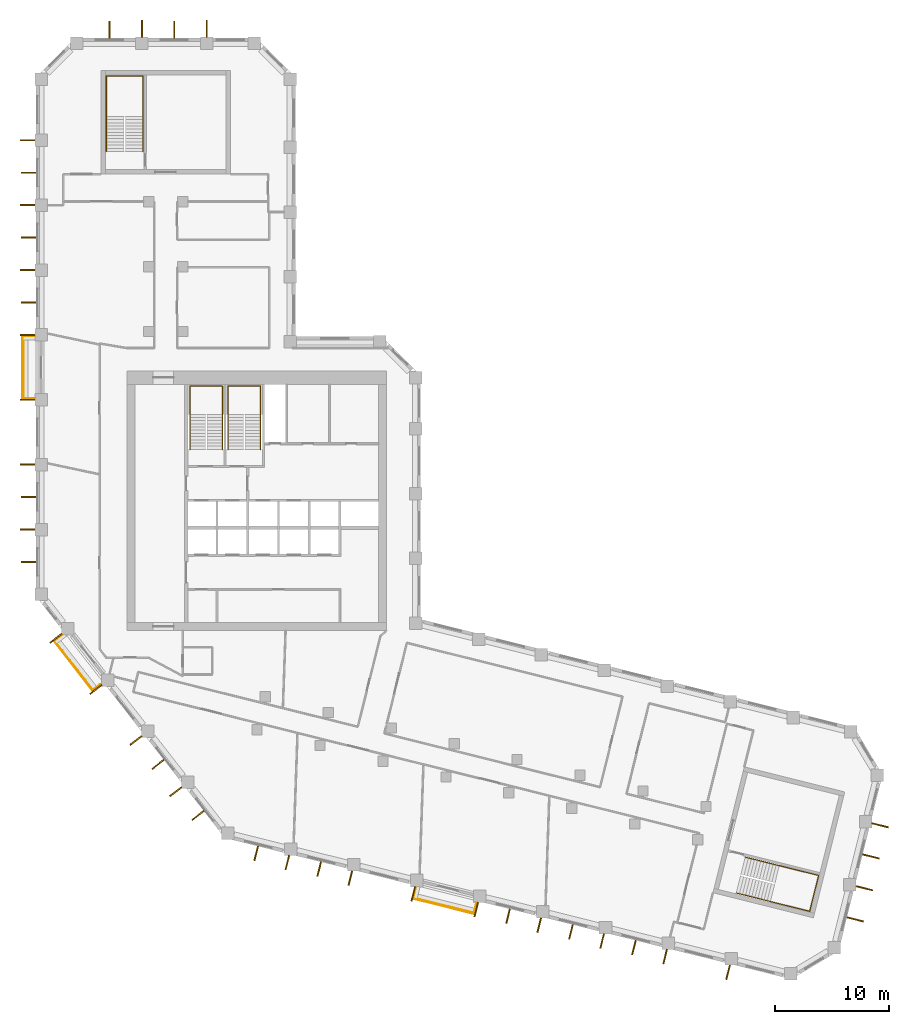
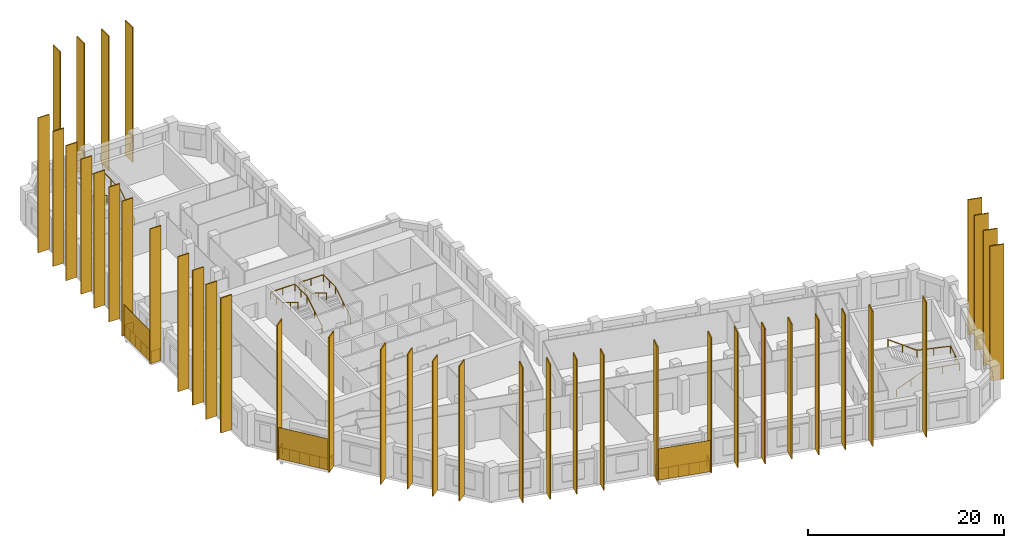
# One storey, part 10 of 10: 42 shading devices, 7 railings.
"""IFC4 building model written with IfcOpenShell, lengths in metres."""

from ifc_helpers import new_model, si_unit, direction, frame, origin, origin_2d, place, context, subcontext, project, spatial, rectangle, circle, extrude, material, layer, layer_set, type_object, element, save


model = new_model("IFC4")

# Units and contexts
model_context = context("Model", 3, precision=1e-05, world=origin(), true_north=direction((0.0, 1.0)))
body_context = subcontext(model_context, "Body", "Model", "MODEL_VIEW")
ifc_project = project(units=[si_unit("LENGTHUNIT", "METRE"), si_unit("AREAUNIT", "SQUARE_METRE"), si_unit("VOLUMEUNIT", "CUBIC_METRE"), si_unit("PLANEANGLEUNIT", "RADIAN"), si_unit("MASSUNIT", "GRAM", prefix="KILO")], contexts=[model_context])

# Site, building, storey
site_placement = place(None, origin())
site = spatial("IfcSite", under=ifc_project, at=site_placement, CompositionType="ELEMENT")
building_placement = place(site_placement, origin())
building = spatial("IfcBuilding", under=site, at=building_placement, Name="Meshkara Civic Tower", CompositionType="ELEMENT")
storey_placement = place(building_placement, frame((0.0, 0.0, 259.199951171875)))
storey = spatial("IfcBuildingStorey", under=building, at=storey_placement, Name="L59", CompositionType="ELEMENT", Elevation=259.199951171875)

# Railings
ifc_material_1 = material(Name="Steel S355", Category="steel")
railing_type_1 = type_object("IfcRailingType", Name="BALUSTRADE GUARD 1400", PredefinedType="BALUSTRADE", material=ifc_material_1)
railing_1_placement = place(storey_placement, frame((-0.10009765625, 39.93505859375, 0.0)))
element("IfcRailing", 1, at=railing_1_placement, inside=storey, type_object=railing_type_1, Name="Balcony guard", PredefinedType="BALUSTRADE", context=body_context, shape_type="SweptSolid", body=[
    extrude(circle(Radius=0.02392578125, at=origin_2d()), frame((0.0, 0.0, 1.3759765625), z_axis=(-1.0, 0.0, 0.0), x_axis=(0.0, -1.0, 0.0)), (0.0, 0.0, 1.0), 1.010009765625),
    extrude(circle(Radius=0.02392578125, at=origin_2d()), frame((-1.010009765625, 0.0, 1.3759765625), z_axis=(0.0, -1.0, 0.0), x_axis=(1.0, 0.0, 0.0)), (0.0, 0.0, 1.0), 5.4599609375),
    extrude(circle(Radius=0.02392578125, at=origin_2d()), frame((-1.010009765625, -5.4599609375, 1.3759765625), z_axis=(1.0, 0.0, 0.0), x_axis=(0.0, 1.0, 0.0)), (0.0, 0.0, 1.0), 1.010009765625),
    extrude(circle(Radius=0.02099609375, at=origin_2d()), origin(), (0.0, 0.0, 1.0), 1.351806640625),
    extrude(circle(Radius=0.02099609375, at=origin_2d()), frame((-1.010009765625, 0.0, 0.0)), (0.0, 0.0, 1.0), 1.351806640625),
    extrude(circle(Radius=0.02099609375, at=origin_2d()), frame((-1.010009765625, -1.092041015625, 0.0)), (0.0, 0.0, 1.0), 1.351806640625),
    extrude(circle(Radius=0.02099609375, at=origin_2d()), frame((-1.010009765625, -2.18408203125, 0.0)), (0.0, 0.0, 1.0), 1.351806640625),
    extrude(circle(Radius=0.02099609375, at=origin_2d()), frame((-1.010009765625, -3.27587890625, 0.0)), (0.0, 0.0, 1.0), 1.351806640625),
    extrude(circle(Radius=0.02099609375, at=origin_2d()), frame((-1.010009765625, -4.367919921875, 0.0)), (0.0, 0.0, 1.0), 1.351806640625),
    extrude(circle(Radius=0.02099609375, at=origin_2d()), frame((-1.010009765625, -5.4599609375, 0.0)), (0.0, 0.0, 1.0), 1.351806640625),
    extrude(circle(Radius=0.02099609375, at=origin_2d()), frame((0.0, -5.4599609375, 0.0)), (0.0, 0.0, 1.0), 1.351806640625),
])
railing_2_placement = place(storey_placement, frame((2.280029296875, 13.658935546875, 0.0)))
element("IfcRailing", 2, at=railing_2_placement, inside=storey, type_object=railing_type_1, Name="Balcony guard", PredefinedType="BALUSTRADE", context=body_context, shape_type="SweptSolid", body=[
    extrude(circle(Radius=0.02392578125, at=origin_2d()), frame((0.0, 0.0, 1.3759765625), z_axis=(-0.788249800523, -0.615355386729, 0.0), x_axis=(0.615355386729, -0.788249800523, 0.0)), (0.0, 0.0, 1.0), 0.787841796875),
    extrude(circle(Radius=0.02392578125, at=origin_2d()), frame((-0.62109375, -0.48486328125, 1.3759765625), z_axis=(0.615573755741, -0.788079279795, 0.0), x_axis=(0.788079279795, 0.615573755741, 0.0)), (0.0, 0.0, 1.0), 5.460205078125),
    extrude(circle(Radius=0.02392578125, at=origin_2d()), frame((2.739990234375, -4.787841796875, 1.3759765625), z_axis=(0.787648714287, 0.616124583896, 0.0), x_axis=(-0.616124583896, 0.787648714287, 0.0)), (0.0, 0.0, 1.0), 0.78857421875),
    extrude(circle(Radius=0.02099609375, at=origin_2d()), origin(), (0.0, 0.0, 1.0), 1.351806640625),
    extrude(circle(Radius=0.02099609375, at=origin_2d()), frame((-0.62109375, -0.48486328125, 0.0)), (0.0, 0.0, 1.0), 1.351806640625),
    extrude(circle(Radius=0.02099609375, at=origin_2d()), frame((0.051025390625, -1.345458984375, 0.0)), (0.0, 0.0, 1.0), 1.351806640625),
    extrude(circle(Radius=0.02099609375, at=origin_2d()), frame((0.723388671875, -2.2060546875, 0.0)), (0.0, 0.0, 1.0), 1.351806640625),
    extrude(circle(Radius=0.02099609375, at=origin_2d()), frame((1.3955078125, -3.066650390625, 0.0)), (0.0, 0.0, 1.0), 1.351806640625),
    extrude(circle(Radius=0.02099609375, at=origin_2d()), frame((2.06787109375, -3.92724609375, 0.0)), (0.0, 0.0, 1.0), 1.351806640625),
    extrude(circle(Radius=0.02099609375, at=origin_2d()), frame((2.739990234375, -4.787841796875, 0.0)), (0.0, 0.0, 1.0), 1.351806640625),
    extrude(circle(Radius=0.02099609375, at=origin_2d()), frame((3.361083984375, -4.302001953125, 0.0)), (0.0, 0.0, 1.0), 1.351806640625),
])
railing_3_placement = place(storey_placement, frame((33.39794921875, -8.550048828125, 0.0)))
element("IfcRailing", 3, at=railing_3_placement, inside=storey, type_object=railing_type_1, Name="Balcony guard", PredefinedType="BALUSTRADE", context=body_context, shape_type="SweptSolid", body=[
    extrude(circle(Radius=0.02392578125, at=origin_2d()), frame((0.0, 0.0, 1.3759765625), z_axis=(-0.241828319243, -0.97031905269, 0.0), x_axis=(0.97031905269, -0.241828319243, 0.0)), (0.0, 0.0, 1.0), 0.8935546875),
    extrude(circle(Radius=0.02392578125, at=origin_2d()), frame((-0.216064453125, -0.866943359375, 1.3759765625), z_axis=(0.970292231073, -0.24193591366, 0.0), x_axis=(0.24193591366, 0.970292231073, 0.0)), (0.0, 0.0, 1.0), 5.460205078125),
    extrude(circle(Radius=0.02392578125, at=origin_2d()), frame((5.08203125, -2.18798828125, 1.3759765625), z_axis=(0.241828319243, 0.97031905269, 0.0), x_axis=(-0.97031905269, 0.241828319243, 0.0)), (0.0, 0.0, 1.0), 0.8935546875),
    extrude(circle(Radius=0.02099609375, at=origin_2d()), origin(), (0.0, 0.0, 1.0), 1.351806640625),
    extrude(circle(Radius=0.02099609375, at=origin_2d()), frame((-0.216064453125, -0.866943359375, 0.0)), (0.0, 0.0, 1.0), 1.351806640625),
    extrude(circle(Radius=0.02099609375, at=origin_2d()), frame((0.843505859375, -1.131103515625, 0.0)), (0.0, 0.0, 1.0), 1.351806640625),
    extrude(circle(Radius=0.02099609375, at=origin_2d()), frame((1.903076171875, -1.395263671875, 0.0)), (0.0, 0.0, 1.0), 1.351806640625),
    extrude(circle(Radius=0.02099609375, at=origin_2d()), frame((2.962890625, -1.65966796875, 0.0)), (0.0, 0.0, 1.0), 1.351806640625),
    extrude(circle(Radius=0.02099609375, at=origin_2d()), frame((4.0224609375, -1.923828125, 0.0)), (0.0, 0.0, 1.0), 1.351806640625),
    extrude(circle(Radius=0.02099609375, at=origin_2d()), frame((5.08203125, -2.18798828125, 0.0)), (0.0, 0.0, 1.0), 1.351806640625),
    extrude(circle(Radius=0.02099609375, at=origin_2d()), frame((5.298095703125, -1.321044921875, 0.0)), (0.0, 0.0, 1.0), 1.351806640625),
])

# Shading devices
ifc_material_2 = material(Name="Bronze anodised aluminium", Category="aluminium")
ifc_layer_1 = layer(ifc_material_2, 0.1201171875)
ifc_layer_set_1 = layer_set([ifc_layer_1], Name="BRONZE FIN 1300")
shading_device_type_1 = type_object("IfcShadingDeviceType", Name="BRONZE FIN 1300", PredefinedType="USERDEFINED", material=ifc_layer_set_1)
for number, where, z_axis, x_axis, name in (
    (4, (-0.75, 57.155029296875, 0.0), (0.0, 0.0, 1.0), (0.0, -1.0, 0.0), "Fin"),
    (5, (-0.64990234375, 54.304931640625, 0.0), (0.0, 0.0, 1.0), (0.0, -1.0, 0.0), "Fin"),
    (6, (-0.75, 51.455078125, 0.0), (0.0, 0.0, 1.0), (0.0, -1.0, 0.0), "Fin"),
    (7, (-0.64990234375, 48.60498046875, 0.0), (0.0, 0.0, 1.0), (0.0, -1.0, 0.0), "Fin"),
    (8, (-0.75, 45.7548828125, 0.0), (0.0, 0.0, 1.0), (0.0, -1.0, 0.0), "Fin"),
    (9, (-0.64990234375, 42.905029296875, 0.0), (0.0, 0.0, 1.0), (0.0, -1.0, 0.0), "Fin"),
    (10, (-0.75, 40.054931640625, 0.0), (0.0, 0.0, 1.0), (0.0, -1.0, 0.0), "Fin"),
    (11, (-0.75, 34.35498046875, 0.0), (0.0, 0.0, 1.0), (0.0, -1.0, 0.0), "Fin"),
    (12, (-0.75, 28.655029296875, 0.0), (0.0, 0.0, 1.0), (0.0, -1.0, 0.0), "Fin"),
    (13, (-0.64990234375, 25.804931640625, 0.0), (0.0, 0.0, 1.0), (0.0, -1.0, 0.0), "Fin"),
    (14, (-0.75, 22.955078125, 0.0), (0.0, 0.0, 1.0), (0.0, -1.0, 0.0), "Fin"),
    (15, (-0.64990234375, 20.10498046875, 0.0), (0.0, 0.0, 1.0), (0.0, -1.0, 0.0), "Fin"),
    (16, (1.751953125, 13.39892578125, 0.0), (0.0, 0.0, 1.0), (0.615661475326, -0.788010753607, 0.0), "Fin"),
    (17, (5.260986328125, 8.906982421875, 0.0), (0.0, 0.0, 1.0), (0.615661475326, -0.788010753607, 0.0), "Fin"),
    (18, (8.77099609375, 4.4150390625, 0.0), (0.0, 0.0, 1.0), (0.615661475326, -0.788010753607, 0.0), "Fin"),
    (19, (10.720947265625, 2.322021484375, 0.0), (0.0, 0.0, 1.0), (0.615661475326, -0.788010753607, 0.0), "Fin"),
    (20, (12.280029296875, -0.075927734375, 0.0), (0.0, 0.0, 1.0), (0.615661475326, -0.788010753607, 0.0), "Fin"),
    (21, (14.22998046875, -2.1689453125, 0.0), (0.0, 0.0, 1.0), (0.615661475326, -0.788010753607, 0.0), "Fin"),
    (22, (19.35009765625, -5.4951171875, 0.0), (0.0, 0.0, 1.0), (0.970299948462, -0.241904960708, 0.0), "Fin"),
    (23, (22.087890625, -6.298095703125, 0.0), (0.0, 0.0, 1.0), (0.970299948462, -0.241904960708, 0.0), "Fin"),
    (24, (24.881103515625, -6.873046875, 0.0), (0.0, 0.0, 1.0), (0.970299948462, -0.241904960708, 0.0), "Fin"),
    (25, (27.617919921875, -7.677001953125, 0.0), (0.0, 0.0, 1.0), (0.970299948462, -0.241904960708, 0.0), "Fin"),
    (26, (33.14892578125, -9.055908203125, 0.0), (0.0, 0.0, 1.0), (0.970299948462, -0.241904960708, 0.0), "Fin"),
    (27, (38.679931640625, -10.43408203125, 0.0), (0.0, 0.0, 1.0), (0.970299948462, -0.241904960708, 0.0), "Fin"),
    (28, (41.472900390625, -11.010009765625, 0.0), (0.0, 0.0, 1.0), (0.970299948462, -0.241904960708, 0.0), "Fin"),
    (29, (44.2109375, -11.81298828125, 0.0), (0.0, 0.0, 1.0), (0.970299948462, -0.241904960708, 0.0), "Fin"),
    (30, (47.00390625, -12.388916015625, 0.0), (0.0, 0.0, 1.0), (0.970299948462, -0.241904960708, 0.0), "Fin"),
    (31, (49.740966796875, -13.19189453125, 0.0), (0.0, 0.0, 1.0), (0.970299948462, -0.241904960708, 0.0), "Fin"),
    (32, (52.533935546875, -13.76806640625, 0.0), (0.0, 0.0, 1.0), (0.970299948462, -0.241904960708, 0.0), "Fin"),
    (33, (55.27197265625, -14.571044921875, 0.0), (0.0, 0.0, 1.0), (0.970299948462, -0.241904960708, 0.0), "Fin"),
    (34, (60.802978515625, -15.949951171875, 0.0), (0.0, 0.0, 1.0), (0.970299948462, -0.241904960708, 0.0), "Fin"),
):
    element("IfcShadingDevice", number, at=place(storey_placement, frame(where, z_axis=z_axis, x_axis=x_axis)), inside=storey, type_object=shading_device_type_1, Name=name, ObjectType="FIN", PredefinedType="USERDEFINED", context=body_context, shape_type="SweptSolid", body=[
        extrude(rectangle(XDim=0.1201171875, YDim=1.300048828125, at=origin_2d()), origin(), (0.0, 0.0, 1.0), 16.800048828125),
    ])
ifc_material_3 = material(Name="Bronze anodised aluminium", Category="aluminium")
ifc_layer_2 = layer(ifc_material_3, 0.1201171875)
ifc_layer_set_2 = layer_set([ifc_layer_2], Name="BRONZE FIN 1500")
shading_device_type_2 = type_object("IfcShadingDeviceType", Name="BRONZE FIN 1500", PredefinedType="USERDEFINED", material=ifc_layer_set_2)
for number, where, z_axis, x_axis, name in (
    (35, (15.006103515625, 66.969970703125, 0.0), (0.0, 0.0, 1.0), (-1.0, 0.0, 0.0), "Fin"),
    (36, (12.156005859375, 66.8701171875, 0.0), (0.0, 0.0, 1.0), (-1.0, 0.0, 0.0), "Fin"),
    (37, (9.305908203125, 66.969970703125, 0.0), (0.0, 0.0, 1.0), (-1.0, 0.0, 0.0), "Fin"),
    (38, (6.4560546875, 66.8701171875, 0.0), (0.0, 0.0, 1.0), (-1.0, 0.0, 0.0), "Fin"),
    (39, (71.97607421875, -11.291015625, 0.0), (0.0, 0.0, 1.0), (0.2419218956, 0.970295726276, 0.0), "Fin"),
    (40, (72.779052734375, -8.553955078125, 0.0), (0.0, 0.0, 1.0), (0.2419218956, 0.970295726276, 0.0), "Fin"),
    (41, (73.35498046875, -5.760009765625, 0.0), (0.0, 0.0, 1.0), (0.2419218956, 0.970295726276, 0.0), "Fin"),
    (42, (74.157958984375, -3.02392578125, 0.0), (0.0, 0.0, 1.0), (0.2419218956, 0.970295726276, 0.0), "Fin"),
):
    element("IfcShadingDevice", number, at=place(storey_placement, frame(where, z_axis=z_axis, x_axis=x_axis)), inside=storey, type_object=shading_device_type_2, Name=name, ObjectType="FIN", PredefinedType="USERDEFINED", context=body_context, shape_type="SweptSolid", body=[
        extrude(rectangle(XDim=0.1201171875, YDim=1.5, at=origin_2d()), origin(), (0.0, 0.0, 1.0), 16.800048828125),
    ])
ifc_material_4 = material(Name="Perforated bronze anodised aluminium sheet", Category="aluminium")
ifc_layer_3 = layer(ifc_material_4, 0.0400390625)
ifc_layer_set_3 = layer_set([ifc_layer_3], Name="PERFORATED BRONZE SCREEN")
shading_device_type_3 = type_object("IfcShadingDeviceType", Name="PERFORATED BRONZE SCREEN", PredefinedType="USERDEFINED", material=ifc_layer_set_3)
for number, where, z_axis, x_axis, name in (
    (43, (-1.179931640625, 37.205078125, 0.0), (0.0, 0.0, 1.0), (0.0, -1.0, 0.0), "Balcony screen"),
    (44, (3.283935546875, 10.97998046875, 0.0), (0.0, 0.0, 1.0), (0.615661475326, -0.788010753607, 0.0), "Balcony screen"),
    (45, (35.81396484375, -10.14599609375, 0.0), (0.0, 0.0, 1.0), (0.970299948462, -0.241904960708, 0.0), "Balcony screen"),
):
    element("IfcShadingDevice", number, at=place(storey_placement, frame(where, z_axis=z_axis, x_axis=x_axis)), inside=storey, type_object=shading_device_type_3, Name=name, ObjectType="SCREEN", PredefinedType="USERDEFINED", context=body_context, shape_type="SweptSolid", body=[
        extrude(rectangle(XDim=5.580078125, YDim=0.0400390625, at=origin_2d()), origin(), (0.0, 0.0, 1.0), 3.89990234375),
    ])

# Railings
ifc_material_5 = material(Name="Steel handrail", Category="steel")
railing_type_2 = type_object("IfcRailingType", Name="Stair handrail 900", PredefinedType="HANDRAIL", material=ifc_material_5)
railing_4_placement = place(storey_placement, frame((16.375, 30.0, 0.175048828125)))
element("IfcRailing", 46, at=railing_4_placement, inside=storey, type_object=railing_type_2, Name="L59 ST1 stair handrail 1", PredefinedType="HANDRAIL", context=body_context, shape_type="SweptSolid", body=[
    extrude(circle(Radius=0.02392578125, at=origin_2d()), frame((0.0, 0.0, 0.8759765625), z_axis=(0.0, 0.847998304005, 0.529998940003), x_axis=(-1.0, 0.0, 0.0)), (0.0, 0.0, 1.0), 3.632080078125),
    extrude(circle(Radius=0.02392578125, at=origin_2d()), frame((0.0, 3.080078125, 2.80078125), z_axis=(0.0, 1.0, 0.0), x_axis=(-1.0, 0.0, 0.0)), (0.0, 0.0, 1.0), 2.469970703125),
    extrude(circle(Radius=0.02392578125, at=origin_2d()), frame((0.0, 5.550048828125, 2.80078125), z_axis=(-1.0, 0.0, 0.0), x_axis=(0.0, -1.0, 0.0)), (0.0, 0.0, 1.0), 2.85009765625),
    extrude(circle(Radius=0.02392578125, at=origin_2d()), frame((-2.85009765625, 5.550048828125, 2.80078125), z_axis=(0.0, -0.997498084828, 0.070693498747), x_axis=(1.0, 0.0, 0.0)), (0.0, 0.0, 1.0), 2.47607421875),
    extrude(circle(Radius=0.02392578125, at=origin_2d()), frame((-2.85009765625, 3.080078125, 2.97607421875), z_axis=(0.0, -0.848028513186, 0.529950602248), x_axis=(1.0, 0.0, 0.0)), (0.0, 0.0, 1.0), 3.632080078125),
    extrude(circle(Radius=0.02099609375, at=origin_2d()), origin(), (0.0, 0.0, 1.0), 0.851806640625),
    extrude(circle(Radius=0.02099609375, at=origin_2d()), frame((0.0, 1.5400390625, 0.96240234375)), (0.0, 0.0, 1.0), 0.851806640625),
    extrude(circle(Radius=0.02099609375, at=origin_2d()), frame((0.0, 3.080078125, 1.925048828125)), (0.0, 0.0, 1.0), 0.851806640625),
    extrude(circle(Radius=0.02099609375, at=origin_2d()), frame((0.0, 4.31494140625, 1.925048828125)), (0.0, 0.0, 1.0), 0.851806640625),
    extrude(circle(Radius=0.02099609375, at=origin_2d()), frame((0.0, 5.550048828125, 1.925048828125)), (0.0, 0.0, 1.0), 0.851806640625),
    extrude(circle(Radius=0.02099609375, at=origin_2d()), frame((-1.425048828125, 5.550048828125, 1.925048828125)), (0.0, 0.0, 1.0), 0.851806640625),
    extrude(circle(Radius=0.02099609375, at=origin_2d()), frame((-2.85009765625, 5.550048828125, 1.925048828125)), (0.0, 0.0, 1.0), 0.851806640625),
    extrude(circle(Radius=0.02099609375, at=origin_2d()), frame((-2.85009765625, 4.31494140625, 2.0126953125)), (0.0, 0.0, 1.0), 0.851806640625),
    extrude(circle(Radius=0.02099609375, at=origin_2d()), frame((-2.85009765625, 3.080078125, 2.10009765625)), (0.0, 0.0, 1.0), 0.851806640625),
    extrude(circle(Radius=0.02099609375, at=origin_2d()), frame((-2.85009765625, 1.5400390625, 3.0625)), (0.0, 0.0, 1.0), 0.851806640625),
    extrude(circle(Radius=0.02099609375, at=origin_2d()), frame((-2.85009765625, 0.0, 4.02490234375)), (0.0, 0.0, 1.0), 0.851806640625),
])
railing_5_placement = place(storey_placement, frame((19.72509765625, 30.0, 0.175048828125)))
element("IfcRailing", 47, at=railing_5_placement, inside=storey, type_object=railing_type_2, Name="L59 ST2 stair handrail 1", PredefinedType="HANDRAIL", context=body_context, shape_type="SweptSolid", body=[
    extrude(circle(Radius=0.02392578125, at=origin_2d()), frame((0.0, 0.0, 0.8759765625), z_axis=(0.0, 0.847998304005, 0.529998940003), x_axis=(-1.0, 0.0, 0.0)), (0.0, 0.0, 1.0), 3.632080078125),
    extrude(circle(Radius=0.02392578125, at=origin_2d()), frame((0.0, 3.080078125, 2.80078125), z_axis=(0.0, 1.0, 0.0), x_axis=(-1.0, 0.0, 0.0)), (0.0, 0.0, 1.0), 2.469970703125),
    extrude(circle(Radius=0.02392578125, at=origin_2d()), frame((0.0, 5.550048828125, 2.80078125), z_axis=(-1.0, 0.0, 0.0), x_axis=(0.0, -1.0, 0.0)), (0.0, 0.0, 1.0), 2.85009765625),
    extrude(circle(Radius=0.02392578125, at=origin_2d()), frame((-2.85009765625, 5.550048828125, 2.80078125), z_axis=(0.0, -0.997498084828, 0.070693498747), x_axis=(1.0, 0.0, 0.0)), (0.0, 0.0, 1.0), 2.47607421875),
    extrude(circle(Radius=0.02392578125, at=origin_2d()), frame((-2.85009765625, 3.080078125, 2.97607421875), z_axis=(0.0, -0.848028513186, 0.529950602248), x_axis=(1.0, 0.0, 0.0)), (0.0, 0.0, 1.0), 3.632080078125),
    extrude(circle(Radius=0.02099609375, at=origin_2d()), origin(), (0.0, 0.0, 1.0), 0.851806640625),
    extrude(circle(Radius=0.02099609375, at=origin_2d()), frame((0.0, 1.5400390625, 0.96240234375)), (0.0, 0.0, 1.0), 0.851806640625),
    extrude(circle(Radius=0.02099609375, at=origin_2d()), frame((0.0, 3.080078125, 1.925048828125)), (0.0, 0.0, 1.0), 0.851806640625),
    extrude(circle(Radius=0.02099609375, at=origin_2d()), frame((0.0, 4.31494140625, 1.925048828125)), (0.0, 0.0, 1.0), 0.851806640625),
    extrude(circle(Radius=0.02099609375, at=origin_2d()), frame((0.0, 5.550048828125, 1.925048828125)), (0.0, 0.0, 1.0), 0.851806640625),
    extrude(circle(Radius=0.02099609375, at=origin_2d()), frame((-1.425048828125, 5.550048828125, 1.925048828125)), (0.0, 0.0, 1.0), 0.851806640625),
    extrude(circle(Radius=0.02099609375, at=origin_2d()), frame((-2.85009765625, 5.550048828125, 1.925048828125)), (0.0, 0.0, 1.0), 0.851806640625),
    extrude(circle(Radius=0.02099609375, at=origin_2d()), frame((-2.85009765625, 4.31494140625, 2.0126953125)), (0.0, 0.0, 1.0), 0.851806640625),
    extrude(circle(Radius=0.02099609375, at=origin_2d()), frame((-2.85009765625, 3.080078125, 2.10009765625)), (0.0, 0.0, 1.0), 0.851806640625),
    extrude(circle(Radius=0.02099609375, at=origin_2d()), frame((-2.85009765625, 1.5400390625, 3.0625)), (0.0, 0.0, 1.0), 0.851806640625),
    extrude(circle(Radius=0.02099609375, at=origin_2d()), frame((-2.85009765625, 0.0, 4.02490234375)), (0.0, 0.0, 1.0), 0.851806640625),
])
railing_6_placement = place(storey_placement, frame((9.425048828125, 56.169921875, 0.175048828125)))
element("IfcRailing", 48, at=railing_6_placement, inside=storey, type_object=railing_type_2, Name="L59 ESA4 stair handrail 1", PredefinedType="HANDRAIL", context=body_context, shape_type="SweptSolid", body=[
    extrude(circle(Radius=0.02392578125, at=origin_2d()), frame((0.0, 0.0, 0.8759765625), z_axis=(0.0, 0.847998304005, 0.529998940003), x_axis=(-1.0, 0.0, 0.0)), (0.0, 0.0, 1.0), 3.632080078125),
    extrude(circle(Radius=0.02392578125, at=origin_2d()), frame((0.0, 3.080078125, 2.80078125), z_axis=(0.0, 1.0, 0.0), x_axis=(-1.0, 0.0, 0.0)), (0.0, 0.0, 1.0), 3.570068359375),
    extrude(circle(Radius=0.02392578125, at=origin_2d()), frame((0.0, 6.650146484375, 2.80078125), z_axis=(-1.0, 0.0, 0.0), x_axis=(0.0, -1.0, 0.0)), (0.0, 0.0, 1.0), 3.25),
    extrude(circle(Radius=0.02392578125, at=origin_2d()), frame((-3.25, 6.650146484375, 2.80078125), z_axis=(0.0, -0.998800077689, 0.048973511297), x_axis=(1.0, 0.0, 0.0)), (0.0, 0.0, 1.0), 3.574462890625),
    extrude(circle(Radius=0.02392578125, at=origin_2d()), frame((-3.25, 3.080078125, 2.97607421875), z_axis=(0.0, -0.848028513186, 0.529950602248), x_axis=(1.0, 0.0, 0.0)), (0.0, 0.0, 1.0), 3.632080078125),
    extrude(circle(Radius=0.02099609375, at=origin_2d()), origin(), (0.0, 0.0, 1.0), 0.851806640625),
    extrude(circle(Radius=0.02099609375, at=origin_2d()), frame((0.0, 1.5400390625, 0.96240234375)), (0.0, 0.0, 1.0), 0.851806640625),
    extrude(circle(Radius=0.02099609375, at=origin_2d()), frame((0.0, 3.080078125, 1.925048828125)), (0.0, 0.0, 1.0), 0.851806640625),
    extrude(circle(Radius=0.02099609375, at=origin_2d()), frame((0.0, 4.865234375, 1.925048828125)), (0.0, 0.0, 1.0), 0.851806640625),
    extrude(circle(Radius=0.02099609375, at=origin_2d()), frame((0.0, 6.650146484375, 1.925048828125)), (0.0, 0.0, 1.0), 0.851806640625),
    extrude(circle(Radius=0.02099609375, at=origin_2d()), frame((-1.625, 6.650146484375, 1.925048828125)), (0.0, 0.0, 1.0), 0.851806640625),
    extrude(circle(Radius=0.02099609375, at=origin_2d()), frame((-3.25, 6.650146484375, 1.925048828125)), (0.0, 0.0, 1.0), 0.851806640625),
    extrude(circle(Radius=0.02099609375, at=origin_2d()), frame((-3.25, 4.865234375, 2.0126953125)), (0.0, 0.0, 1.0), 0.851806640625),
    extrude(circle(Radius=0.02099609375, at=origin_2d()), frame((-3.25, 3.080078125, 2.10009765625)), (0.0, 0.0, 1.0), 0.851806640625),
    extrude(circle(Radius=0.02099609375, at=origin_2d()), frame((-3.25, 1.5400390625, 3.0625)), (0.0, 0.0, 1.0), 0.851806640625),
    extrude(circle(Radius=0.02099609375, at=origin_2d()), frame((-3.25, 0.0, 4.02490234375)), (0.0, 0.0, 1.0), 0.851806640625),
])
railing_7_placement = place(storey_placement, frame((61.526123046875, -8.97607421875, 0.175048828125)))
element("IfcRailing", 49, at=railing_7_placement, inside=storey, type_object=railing_type_2, Name="L59 ESB4 stair handrail 1", PredefinedType="HANDRAIL", context=body_context, shape_type="SweptSolid", body=[
    extrude(circle(Radius=0.02392578125, at=origin_2d()), frame((0.0, 0.0, 0.8759765625), z_axis=(0.822771605551, -0.205222362071, 0.530028930537), x_axis=(0.242013336109, 0.97027292302, 0.0)), (0.0, 0.0, 1.0), 3.632080078125),
    extrude(circle(Radius=0.02392578125, at=origin_2d()), frame((2.98828125, -0.745361328125, 2.80078125), z_axis=(0.97025503065, -0.242085058395, 0.0), x_axis=(0.242085058395, 0.97025503065, 0.0)), (0.0, 0.0, 1.0), 3.570068359375),
    extrude(circle(Radius=0.02392578125, at=origin_2d()), frame((6.4521484375, -1.609619140625, 2.80078125), z_axis=(0.242040676986, 0.970266103027, 0.0), x_axis=(-0.970266103027, 0.242040676986, 0.0)), (0.0, 0.0, 1.0), 3.25),
    extrude(circle(Radius=0.02392578125, at=origin_2d()), frame((7.23876953125, 1.543701171875, 2.80078125), z_axis=(-0.969086635977, 0.241810579499, 0.04897688856), x_axis=(-0.24210112213, -0.970251022501, 0.0)), (0.0, 0.0, 1.0), 3.57421875),
    extrude(circle(Radius=0.02392578125, at=origin_2d()), frame((3.775146484375, 2.407958984375, 2.97607421875), z_axis=(-0.822822630281, 0.20521832287, 0.52995127989), x_axis=(-0.24199472324, -0.970277565403, 0.0)), (0.0, 0.0, 1.0), 3.632080078125),
    extrude(circle(Radius=0.02099609375, at=origin_2d()), origin(), (0.0, 0.0, 1.0), 0.851806640625),
    extrude(circle(Radius=0.02099609375, at=origin_2d()), frame((1.494140625, -0.37255859375, 0.96240234375)), (0.0, 0.0, 1.0), 0.851806640625),
    extrude(circle(Radius=0.02099609375, at=origin_2d()), frame((2.98828125, -0.745361328125, 1.925048828125)), (0.0, 0.0, 1.0), 0.851806640625),
    extrude(circle(Radius=0.02099609375, at=origin_2d()), frame((4.72021484375, -1.177490234375, 1.925048828125)), (0.0, 0.0, 1.0), 0.851806640625),
    extrude(circle(Radius=0.02099609375, at=origin_2d()), frame((6.4521484375, -1.609619140625, 1.925048828125)), (0.0, 0.0, 1.0), 0.851806640625),
    extrude(circle(Radius=0.02099609375, at=origin_2d()), frame((6.845458984375, -0.032958984375, 1.925048828125)), (0.0, 0.0, 1.0), 0.851806640625),
    extrude(circle(Radius=0.02099609375, at=origin_2d()), frame((7.23876953125, 1.543701171875, 1.925048828125)), (0.0, 0.0, 1.0), 0.851806640625),
    extrude(circle(Radius=0.02099609375, at=origin_2d()), frame((5.5068359375, 1.975830078125, 2.0126953125)), (0.0, 0.0, 1.0), 0.851806640625),
    extrude(circle(Radius=0.02099609375, at=origin_2d()), frame((3.775146484375, 2.407958984375, 2.10009765625)), (0.0, 0.0, 1.0), 0.851806640625),
    extrude(circle(Radius=0.02099609375, at=origin_2d()), frame((2.28076171875, 2.78076171875, 3.0625)), (0.0, 0.0, 1.0), 0.851806640625),
    extrude(circle(Radius=0.02099609375, at=origin_2d()), frame((0.78662109375, 3.1533203125, 4.02490234375)), (0.0, 0.0, 1.0), 0.851806640625),
])

save(model, "model.ifc")
